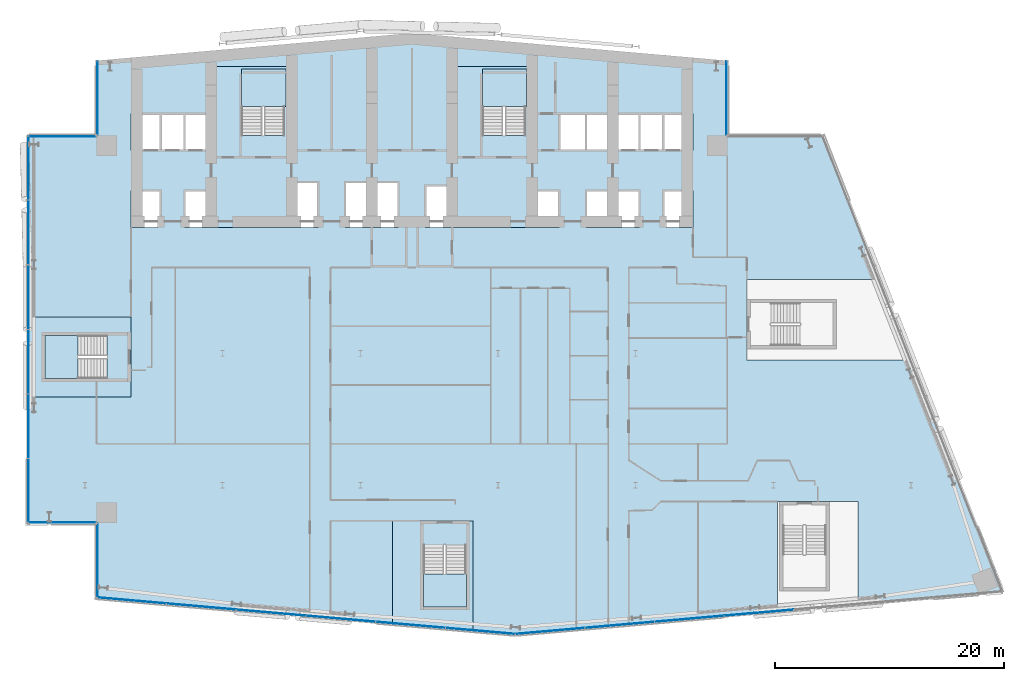
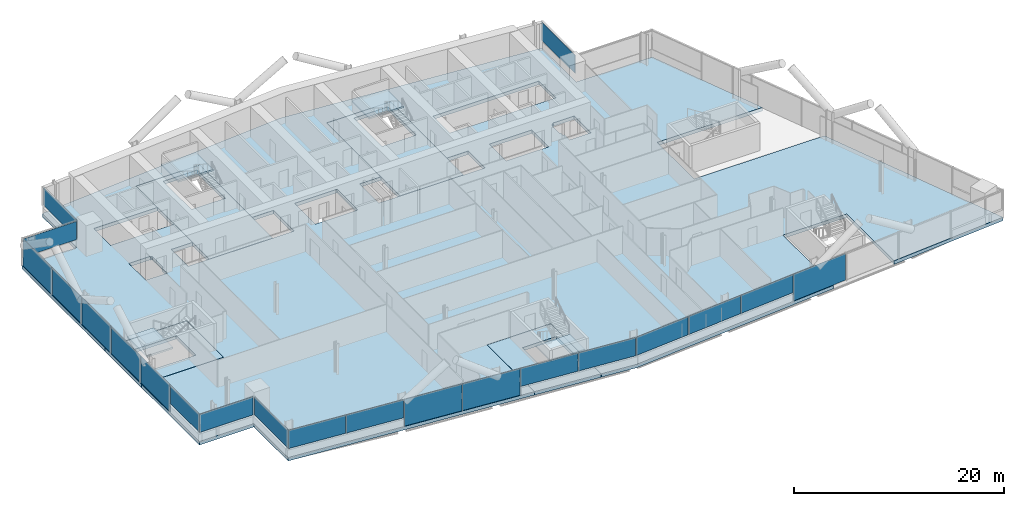
# One storey, part 12 of 26: 21 plates, 9 slabs, 12 elements without a shape of their own.
"""IFC4 building model written with IfcOpenShell, lengths in metres."""

from ifc_helpers import new_model, si_unit, direction, frame, origin, origin_2d, place, context, subcontext, project, spatial, polyline, rectangle, outline, extrude, material, layer, layer_set, type_object, element, aggregate, save


model = new_model("IFC4")

# Units and contexts
model_context = context("Model", 3, precision=1e-05, world=origin(), true_north=direction((0.0, 1.0)))
body_context = subcontext(model_context, "Body", "Model", "MODEL_VIEW")
ifc_project = project(units=[si_unit("LENGTHUNIT", "METRE"), si_unit("AREAUNIT", "SQUARE_METRE"), si_unit("VOLUMEUNIT", "CUBIC_METRE"), si_unit("PLANEANGLEUNIT", "RADIAN"), si_unit("MASSUNIT", "GRAM", prefix="KILO")], contexts=[model_context])

# Site, building, storey
site_placement = place(None, origin())
site = spatial("IfcSite", under=ifc_project, at=site_placement, CompositionType="ELEMENT")
building_placement = place(site_placement, origin())
building = spatial("IfcBuilding", under=site, at=building_placement, Name="Wharfspan Tower", CompositionType="ELEMENT")
storey_placement = place(building_placement, frame((0.0, 0.0, 114.699951)))
storey = spatial("IfcBuildingStorey", under=building, at=storey_placement, Name="L26", CompositionType="ELEMENT", Elevation=114.699951)

# Curtain wall, plates
ifc_material_1 = material(Name="Aluminium 6063-T6", Category="aluminium")
curtain_wall_type_1 = type_object("IfcCurtainWallType", Name="CURTAIN WALL FACETED FRONT", PredefinedType="NOTDEFINED", material=ifc_material_1)
curtain_wall_1_placement = place(storey_placement, origin())
curtain_wall_1 = element("IfcCurtainWall", 1, at=curtain_wall_1_placement, inside=storey, type_object=curtain_wall_type_1, Name="Curtain wall S1", PredefinedType="NOTDEFINED")
ifc_material_2 = material(Name="Glass clear low-iron double glazing", Category="glass")
ifc_layer_1 = layer(ifc_material_2, 0.040039)
ifc_layer_set_1 = layer_set([ifc_layer_1], Name="Glass clear low-iron double glazing")
plate_type_1 = type_object("IfcPlateType", Name="GLASS PANEL FACETED FRONT 40", PredefinedType="CURTAIN_PANEL", material=ifc_layer_set_1)
plate_1_placement = place(storey_placement, frame((16.061768, 1.467529, 1.0), z_axis=(0.0, 0.0, 1.0), x_axis=(0.996198, -0.087156, 0.0)))
plate_1 = element("IfcPlate", 2, at=plate_1_placement, type_object=plate_type_1, Name="Curtain wall S1 panel 1", PredefinedType="CURTAIN_PANEL", context=body_context, shape_type="SweptSolid", body=[
    extrude(rectangle(XDim=6.016602, YDim=0.040039, at=origin_2d()), origin(), (0.0, 0.0, 1.0), 2.120117),
])
plate_2_placement = place(storey_placement, frame((22.130127, 0.936523, 1.0), z_axis=(0.0, 0.0, 1.0), x_axis=(0.996198, -0.087156, 0.0)))
plate_2 = element("IfcPlate", 3, at=plate_2_placement, type_object=plate_type_1, Name="Curtain wall S1 panel 2", PredefinedType="CURTAIN_PANEL", context=body_context, shape_type="SweptSolid", body=[
    extrude(rectangle(XDim=6.046631, YDim=0.040039, at=origin_2d()), origin(), (0.0, 0.0, 1.0), 2.120117),
])
plate_3_placement = place(storey_placement, frame((40.380127, -0.660156, 1.0), z_axis=(0.0, 0.0, 1.0), x_axis=(0.996198, -0.087156, 0.0)))
plate_3 = element("IfcPlate", 4, at=plate_3_placement, type_object=plate_type_1, Name="Curtain wall S1 panel 5", PredefinedType="CURTAIN_PANEL", context=body_context, shape_type="SweptSolid", body=[
    extrude(rectangle(XDim=6.046631, YDim=0.040039, at=origin_2d()), origin(), (0.0, 0.0, 1.0), 2.120117),
])
plate_4_placement = place(storey_placement, frame((46.44873, -1.191162, 1.0), z_axis=(0.0, 0.0, 1.0), x_axis=(0.996198, -0.087156, 0.0)))
plate_4 = element("IfcPlate", 5, at=plate_4_placement, type_object=plate_type_1, Name="Curtain wall S1 panel 6", PredefinedType="CURTAIN_PANEL", context=body_context, shape_type="SweptSolid", body=[
    extrude(rectangle(XDim=6.016602, YDim=0.040039, at=origin_2d()), origin(), (0.0, 0.0, 1.0), 2.120117),
])

curtain_wall_2_placement = place(storey_placement, origin())
curtain_wall_2 = element("IfcCurtainWall", 6, at=curtain_wall_2_placement, inside=storey, type_object=curtain_wall_type_1, Name="Curtain wall S2", PredefinedType="NOTDEFINED")
plate_5_placement = place(storey_placement, frame((52.54541, -1.19165, 1.0), z_axis=(0.0, 0.0, 1.0), x_axis=(0.996198, 0.087156, 0.0)))
plate_5 = element("IfcPlate", 7, at=plate_5_placement, type_object=plate_type_1, Name="Curtain wall S2 panel 1", PredefinedType="CURTAIN_PANEL", context=body_context, shape_type="SweptSolid", body=[
    extrude(rectangle(XDim=6.004639, YDim=0.040039, at=origin_2d()), origin(), (0.0, 0.0, 1.0), 2.120117),
])
plate_6_placement = place(storey_placement, frame((58.601807, -0.661621, 1.0), z_axis=(0.0, 0.0, 1.0), x_axis=(0.996198, 0.087156, 0.0)))
plate_6 = element("IfcPlate", 8, at=plate_6_placement, type_object=plate_type_1, Name="Curtain wall S2 panel 2", PredefinedType="CURTAIN_PANEL", context=body_context, shape_type="SweptSolid", body=[
    extrude(rectangle(XDim=6.034668, YDim=0.040039, at=origin_2d()), origin(), (0.0, 0.0, 1.0), 2.120117),
])
plate_7_placement = place(storey_placement, frame((64.67334, -0.130615, 1.0), z_axis=(0.0, 0.0, 1.0), x_axis=(0.996198, 0.087156, 0.0)))
plate_7 = element("IfcPlate", 9, at=plate_7_placement, type_object=plate_type_1, Name="Curtain wall S2 panel 3", PredefinedType="CURTAIN_PANEL", context=body_context, shape_type="SweptSolid", body=[
    extrude(rectangle(XDim=6.034668, YDim=0.040039, at=origin_2d()), origin(), (0.0, 0.0, 1.0), 2.120117),
])

# Curtain wall, plate
curtain_wall_type_2 = type_object("IfcCurtainWallType", Name="CURTAIN WALL PROW AND END", PredefinedType="NOTDEFINED", material=ifc_material_1)
curtain_wall_3_placement = place(storey_placement, origin())
curtain_wall_3 = element("IfcCurtainWall", 10, at=curtain_wall_3_placement, inside=storey, type_object=curtain_wall_type_2, Name="Curtain wall NRE-V", PredefinedType="NOTDEFINED")
ifc_layer_2 = layer(ifc_material_2, 0.040039)
ifc_layer_set_2 = layer_set([ifc_layer_2], Name="Glass clear low-iron double glazing")
plate_type_2 = type_object("IfcPlateType", Name="GLASS PANEL PROW AND END 40", PredefinedType="CURTAIN_PANEL", material=ifc_layer_set_2)
plate_8_placement = place(storey_placement, frame((67.919922, 45.262451, 1.0), z_axis=(0.0, 0.0, 1.0), x_axis=(0.0, 1.0, 0.0)))
plate_8 = element("IfcPlate", 11, at=plate_8_placement, type_object=plate_type_2, Name="Curtain wall NRE-V panel 1", PredefinedType="CURTAIN_PANEL", context=body_context, shape_type="SweptSolid", body=[
    extrude(rectangle(XDim=6.405029, YDim=0.040039, at=origin_2d()), origin(), (0.0, 0.0, 1.0), 2.120117),
])
aggregate(curtain_wall_3, [plate_8])

curtain_wall_4_placement = place(storey_placement, origin())
curtain_wall_4 = element("IfcCurtainWall", 12, at=curtain_wall_4_placement, inside=storey, type_object=curtain_wall_type_2, Name="Curtain wall NRW-V", PredefinedType="NOTDEFINED")
plate_9_placement = place(storey_placement, frame((13.080078, 45.262451, 1.0), z_axis=(0.0, 0.0, 1.0), x_axis=(0.0, -1.0, 0.0)))
plate_9 = element("IfcPlate", 13, at=plate_9_placement, type_object=plate_type_2, Name="Curtain wall NRW-V panel 1", PredefinedType="CURTAIN_PANEL", context=body_context, shape_type="SweptSolid", body=[
    extrude(rectangle(XDim=6.405029, YDim=0.040039, at=origin_2d()), origin(), (0.0, 0.0, 1.0), 2.120117),
])
aggregate(curtain_wall_4, [plate_9])

curtain_wall_5_placement = place(storey_placement, origin())
curtain_wall_5 = element("IfcCurtainWall", 14, at=curtain_wall_5_placement, inside=storey, type_object=curtain_wall_type_2, Name="Curtain wall NRW-H", PredefinedType="NOTDEFINED")
plate_10_placement = place(storey_placement, frame((10.0, 41.919922, 1.0), z_axis=(0.0, 0.0, 1.0), x_axis=(-1.0, 0.0, 0.0)))
plate_10 = element("IfcPlate", 15, at=plate_10_placement, type_object=plate_type_2, Name="Curtain wall NRW-H panel 1", PredefinedType="CURTAIN_PANEL", context=body_context, shape_type="SweptSolid", body=[
    extrude(rectangle(XDim=5.879883, YDim=0.040039, at=origin_2d()), origin(), (0.0, 0.0, 1.0), 2.120117),
])
aggregate(curtain_wall_5, [plate_10])

curtain_wall_6_placement = place(storey_placement, origin())
curtain_wall_6 = element("IfcCurtainWall", 16, at=curtain_wall_6_placement, inside=storey, type_object=curtain_wall_type_2, Name="Curtain wall W", PredefinedType="NOTDEFINED")
plate_11_placement = place(storey_placement, frame((7.080078, 11.031738, 1.0), z_axis=(0.0, 0.0, 1.0), x_axis=(0.0, -1.0, 0.0)))
plate_11 = element("IfcPlate", 17, at=plate_11_placement, type_object=plate_type_2, Name="Curtain wall W panel 6", PredefinedType="CURTAIN_PANEL", context=body_context, shape_type="SweptSolid", body=[
    extrude(rectangle(XDim=5.543213, YDim=0.040039, at=origin_2d()), origin(), (0.0, 0.0, 1.0), 2.120117),
])

curtain_wall_7_placement = place(storey_placement, origin())
curtain_wall_7 = element("IfcCurtainWall", 18, at=curtain_wall_7_placement, inside=storey, type_object=curtain_wall_type_2, Name="Curtain wall NFW-H", PredefinedType="NOTDEFINED")
plate_12_placement = place(storey_placement, frame((10.0, 8.280029, 1.0), z_axis=(0.0, 0.0, 1.0), x_axis=(1.0, 0.0, 0.0)))
plate_12 = element("IfcPlate", 19, at=plate_12_placement, type_object=plate_type_2, Name="Curtain wall NFW-H panel 1", PredefinedType="CURTAIN_PANEL", context=body_context, shape_type="SweptSolid", body=[
    extrude(rectangle(XDim=5.879883, YDim=0.040039, at=origin_2d()), origin(), (0.0, 0.0, 1.0), 2.120117),
])
aggregate(curtain_wall_7, [plate_12])

curtain_wall_8_placement = place(storey_placement, origin())
curtain_wall_8 = element("IfcCurtainWall", 20, at=curtain_wall_8_placement, inside=storey, type_object=curtain_wall_type_2, Name="Curtain wall NFW-V", PredefinedType="NOTDEFINED")
plate_13_placement = place(storey_placement, frame((13.080078, 4.9375, 1.0), z_axis=(0.0, 0.0, 1.0), x_axis=(0.0, -1.0, 0.0)))
plate_13 = element("IfcPlate", 21, at=plate_13_placement, type_object=plate_type_2, Name="Curtain wall NFW-V panel 1", PredefinedType="CURTAIN_PANEL", context=body_context, shape_type="SweptSolid", body=[
    extrude(rectangle(XDim=6.405029, YDim=0.040039, at=origin_2d()), origin(), (0.0, 0.0, 1.0), 2.120117),
])
aggregate(curtain_wall_8, [plate_13])

# Plate
ifc_material_3 = material(Name="Aluminium composite opaque insulated panel", Category="aluminium")
ifc_layer_3 = layer(ifc_material_3, 0.040039)
ifc_layer_set_3 = layer_set([ifc_layer_3], Name="Aluminium composite opaque insulated panel")
plate_type_3 = type_object("IfcPlateType", Name="INFILL PANEL FACETED FRONT OPAQUE 40", PredefinedType="SHEET", material=ifc_layer_set_3)
plate_14_placement = place(storey_placement, frame((28.213623, 0.404297, 0.0), z_axis=(0.0, 0.0, 1.0), x_axis=(0.996198, -0.087156, 0.0)))
plate_14 = element("IfcPlate", 22, at=plate_14_placement, type_object=plate_type_3, Name="Curtain wall S1 panel 3", PredefinedType="SHEET", context=body_context, shape_type="SweptSolid", body=[
    extrude(rectangle(XDim=6.046631, YDim=0.040039, at=origin_2d()), origin(), (0.0, 0.0, 1.0), 3.120117),
])

plate_15_placement = place(storey_placement, frame((34.296875, -0.12793, 0.0), z_axis=(0.0, 0.0, 1.0), x_axis=(0.996198, -0.087156, 0.0)))
plate_15 = element("IfcPlate", 23, at=plate_15_placement, type_object=plate_type_3, Name="Curtain wall S1 panel 4", PredefinedType="SHEET", context=body_context, shape_type="SweptSolid", body=[
    extrude(rectangle(XDim=6.046631, YDim=0.040039, at=origin_2d()), origin(), (0.0, 0.0, 1.0), 3.120117),
])

aggregate(curtain_wall_1, [plate_1, plate_2, plate_14, plate_15, plate_3, plate_4])

plate_16_placement = place(storey_placement, frame((70.744873, 0.400635, 0.0), z_axis=(0.0, 0.0, 1.0), x_axis=(0.996198, 0.087156, 0.0)))
plate_16 = element("IfcPlate", 24, at=plate_16_placement, type_object=plate_type_3, Name="Curtain wall S2 panel 4", PredefinedType="SHEET", context=body_context, shape_type="SweptSolid", body=[
    extrude(rectangle(XDim=6.034668, YDim=0.040039, at=origin_2d()), origin(), (0.0, 0.0, 1.0), 3.120117),
])

aggregate(curtain_wall_2, [plate_5, plate_6, plate_7, plate_16])

ifc_layer_4 = layer(ifc_material_3, 0.040039)
ifc_layer_set_4 = layer_set([ifc_layer_4], Name="Aluminium composite opaque insulated panel")
plate_type_4 = type_object("IfcPlateType", Name="INFILL PANEL PROW AND END OPAQUE 40", PredefinedType="SHEET", material=ifc_layer_set_4)
plate_17_placement = place(storey_placement, frame((7.080078, 39.168213, 0.0), z_axis=(0.0, 0.0, 1.0), x_axis=(0.0, -1.0, 0.0)))
plate_17 = element("IfcPlate", 25, at=plate_17_placement, type_object=plate_type_4, Name="Curtain wall W panel 1", PredefinedType="SHEET", context=body_context, shape_type="SweptSolid", body=[
    extrude(rectangle(XDim=5.543213, YDim=0.040039, at=origin_2d()), origin(), (0.0, 0.0, 1.0), 3.120117),
])

plate_18_placement = place(storey_placement, frame((7.080078, 33.550049, 0.0), z_axis=(0.0, 0.0, 1.0), x_axis=(0.0, -1.0, 0.0)))
plate_18 = element("IfcPlate", 26, at=plate_18_placement, type_object=plate_type_4, Name="Curtain wall W panel 2", PredefinedType="SHEET", context=body_context, shape_type="SweptSolid", body=[
    extrude(rectangle(XDim=5.573242, YDim=0.040039, at=origin_2d()), origin(), (0.0, 0.0, 1.0), 3.120117),
])

plate_19_placement = place(storey_placement, frame((7.080078, 27.916748, 0.0), z_axis=(0.0, 0.0, 1.0), x_axis=(0.0, -1.0, 0.0)))
plate_19 = element("IfcPlate", 27, at=plate_19_placement, type_object=plate_type_4, Name="Curtain wall W panel 3", PredefinedType="SHEET", context=body_context, shape_type="SweptSolid", body=[
    extrude(rectangle(XDim=5.573242, YDim=0.040039, at=origin_2d()), origin(), (0.0, 0.0, 1.0), 3.120117),
])

plate_20_placement = place(storey_placement, frame((7.080078, 22.283447, 0.0), z_axis=(0.0, 0.0, 1.0), x_axis=(0.0, -1.0, 0.0)))
plate_20 = element("IfcPlate", 28, at=plate_20_placement, type_object=plate_type_4, Name="Curtain wall W panel 4", PredefinedType="SHEET", context=body_context, shape_type="SweptSolid", body=[
    extrude(rectangle(XDim=5.573242, YDim=0.040039, at=origin_2d()), origin(), (0.0, 0.0, 1.0), 3.120117),
])

plate_21_placement = place(storey_placement, frame((7.080078, 16.649902, 0.0), z_axis=(0.0, 0.0, 1.0), x_axis=(0.0, -1.0, 0.0)))
plate_21 = element("IfcPlate", 29, at=plate_21_placement, type_object=plate_type_4, Name="Curtain wall W panel 5", PredefinedType="SHEET", context=body_context, shape_type="SweptSolid", body=[
    extrude(rectangle(XDim=5.573242, YDim=0.040039, at=origin_2d()), origin(), (0.0, 0.0, 1.0), 3.120117),
])

aggregate(curtain_wall_6, [plate_17, plate_18, plate_19, plate_20, plate_21, plate_11])

# Slabs
ifc_material_4 = material(Name="Concrete C40/50", Category="concrete")
ifc_layer_5 = layer(ifc_material_4, 0.399902)
ifc_layer_set_5 = layer_set([ifc_layer_5], Name="Concrete C40/50")
slab_type_1 = type_object("IfcSlabType", Name="Post-tensioned flat slab 400", PredefinedType="FLOOR", material=ifc_layer_set_5)
slab_1_placement = place(storey_placement, frame((0.0, 0.0, -0.400146)))
element("IfcSlab", 30, at=slab_1_placement, inside=storey, type_object=slab_type_1, Name="Floor slab L26", PredefinedType="FLOOR", context=body_context, shape_type="SweptSolid", body=[
    extrude(outline(polyline([(38.800293, -0.582275), (38.800293, 8.427002), (45.820312, 8.427002), (45.820312, -1.196289), (49.5, -1.518311), (72.355957, 0.481445), (72.355957, 10.104736), (79.375977, 10.104736), (79.375977, 1.095459), (92.0, 2.199951), (84.04541, 22.439941), (69.68042, 22.439941), (69.68042, 29.459961), (81.286621, 29.459961), (76.358154, 42.0), (68.0, 42.0), (68.0, 48.524902), (40.5, 50.930908), (13.0, 48.524902), (13.0, 42.0), (7.0, 42.0), (7.0, 26.209961), (16.01001, 26.209961), (16.01001, 19.189941), (7.0, 19.189941), (7.0, 8.199951), (13.0, 8.199951), (13.0, 1.675049), (38.800293, -0.582275)]), holes=[polyline([(62.48999, 35.389893), (62.36499, 35.389893), (62.36499, 36.909912), (62.48999, 36.909912), (62.48999, 37.110107), (62.656738, 37.110107), (62.656738, 37.209961), (65.01001, 37.209961), (65.01001, 33.98999), (62.656738, 33.98999), (62.656738, 34.98999), (62.48999, 34.98999), (62.48999, 35.389893)]), polyline([(65.01001, 43.909912), (65.01001, 40.689941), (53.323242, 40.689941), (53.323242, 43.909912), (65.01001, 43.909912)]), polyline([(55.656738, 33.98999), (55.656738, 37.209961), (60.343262, 37.209961), (60.343262, 33.98999), (55.656738, 33.98999)]), polyline([(43.98999, 37.659912), (43.98999, 48.01001), (51.01001, 48.01001), (51.01001, 37.209961), (53.343262, 37.209961), (53.343262, 33.98999), (41.656738, 33.98999), (41.656738, 37.659912), (43.98999, 37.659912)]), polyline([(34.656738, 33.98999), (34.656738, 37.959961), (39.343262, 37.959961), (39.343262, 33.98999), (34.656738, 33.98999)]), polyline([(20.656738, 37.209961), (22.98999, 37.209961), (22.98999, 40.689941), (20.676758, 40.689941), (20.656738, 40.689941), (15.98999, 40.689941), (15.98999, 43.909912), (20.656738, 43.909912), (20.676758, 43.909912), (22.98999, 43.909912), (22.98999, 48.01001), (30.01001, 48.01001), (30.01001, 37.959961), (32.343262, 37.959961), (32.343262, 33.98999), (20.656738, 33.98999), (20.656738, 37.209961)]), polyline([(18.51001, 34.98999), (18.343262, 34.98999), (18.343262, 33.98999), (15.98999, 33.98999), (15.98999, 37.209961), (18.343262, 37.209961), (18.343262, 37.110107), (18.51001, 37.110107), (18.51001, 34.98999)])]), origin(), (0.0, 0.0, 1.0), 0.400146),
])
slab_2_placement = place(storey_placement, frame((0.0, 0.0, -0.400146)))
element("IfcSlab", 31, at=slab_2_placement, inside=storey, type_object=slab_type_1, Name="Core floor slab L26 part 1", PredefinedType="FLOOR", context=body_context, shape_type="SweptSolid", body=[
    extrude(outline(polyline([(16.0, 20.524902), (16.0, 24.875), (16.0, 26.199951), (7.0, 26.199951), (7.0, 19.199951), (16.0, 19.199951), (16.0, 20.524902)]), holes=[polyline([(13.9021, 20.824951), (13.9021, 20.824707), (13.9021, 20.824707), (13.901855, 20.824463), (13.901855, 20.824219), (13.901855, 20.824219), (13.901611, 20.823975), (13.901611, 20.82373), (13.901367, 20.823486), (13.901367, 20.823486), (13.901123, 20.823242), (13.900879, 20.823242), (13.900879, 20.823242), (13.900635, 20.822998), (13.900391, 20.822998), (13.900146, 20.822998), (13.899902, 20.822998), (8.5, 20.822998), (8.499756, 20.822998), (8.499512, 20.822998), (8.499512, 20.822998), (8.499268, 20.823242), (8.499023, 20.823242), (8.498779, 20.823242), (8.498779, 20.823486), (8.498535, 20.823486), (8.498535, 20.82373), (8.498291, 20.823975), (8.498291, 20.824219), (8.498291, 20.824219), (8.498047, 20.824463), (8.498047, 20.824707), (8.498047, 20.824707), (8.498047, 20.824951), (8.498047, 24.574951), (8.498047, 24.575195), (8.498047, 24.575439), (8.498047, 24.575684), (8.498291, 24.575684), (8.498291, 24.575928), (8.498291, 24.576172), (8.498535, 24.576416), (8.498535, 24.576416), (8.498779, 24.576416), (8.498779, 24.57666), (8.499023, 24.576904), (8.499268, 24.576904), (8.499512, 24.576904), (8.499512, 24.576904), (8.499756, 24.576904), (8.5, 24.576904), (13.899902, 24.576904), (13.900146, 24.576904), (13.900391, 24.576904), (13.900635, 24.576904), (13.900879, 24.576904), (13.900879, 24.576904), (13.901123, 24.57666), (13.901367, 24.576416), (13.901367, 24.576416), (13.901611, 24.576416), (13.901611, 24.576172), (13.901855, 24.575928), (13.901855, 24.575684), (13.901855, 24.575684), (13.9021, 24.575439), (13.9021, 24.575195), (13.9021, 24.574951), (13.9021, 20.824951)])]), origin(), (0.0, 0.0, 1.0), 0.400146),
])
slab_3_placement = place(storey_placement, frame((0.0, 0.0, -0.400146)))
element("IfcSlab", 32, at=slab_3_placement, inside=storey, type_object=slab_type_1, Name="Core floor slab L26 part 2", PredefinedType="FLOOR", context=body_context, shape_type="SweptSolid", body=[
    extrude(outline(polyline([(20.664795, 34.0), (20.664795, 37.199951), (20.664795, 37.200195), (20.664795, 37.200439), (20.664795, 37.200684), (20.664795, 37.200684), (20.664795, 37.200928), (20.665039, 37.201172), (20.665039, 37.201416), (20.665283, 37.201416), (20.665283, 37.201416), (20.665527, 37.20166), (20.665771, 37.201904), (20.666016, 37.201904), (20.666016, 37.201904), (20.66626, 37.201904), (20.666504, 37.201904), (20.666748, 37.201904), (23.0, 37.201904), (23.000244, 37.201904), (23.000488, 37.201904), (23.000488, 37.201904), (23.000732, 37.201904), (23.000977, 37.201904), (23.001221, 37.20166), (23.001221, 37.201416), (23.001465, 37.201416), (23.001465, 37.201416), (23.001709, 37.201172), (23.001709, 37.200928), (23.001709, 37.200684), (23.001953, 37.200684), (23.001953, 37.200439), (23.001953, 37.200195), (23.001953, 37.199951), (23.001953, 34.0), (29.998047, 34.0), (29.998047, 37.949951), (29.998047, 37.950195), (29.998047, 37.950439), (29.998047, 37.950684), (29.998291, 37.950684), (29.998291, 37.950928), (29.998291, 37.951172), (29.998535, 37.951416), (29.998535, 37.951416), (29.998779, 37.951416), (29.998779, 37.95166), (29.999023, 37.951904), (29.999268, 37.951904), (29.999512, 37.951904), (29.999512, 37.951904), (29.999756, 37.951904), (30.0, 37.951904), (32.333252, 37.951904), (32.333496, 37.951904), (32.33374, 37.951904), (32.333984, 37.951904), (32.333984, 37.951904), (32.334229, 37.951904), (32.334473, 37.95166), (32.334717, 37.951416), (32.334717, 37.951416), (32.334961, 37.951416), (32.334961, 37.951172), (32.335205, 37.950928), (32.335205, 37.950684), (32.335205, 37.950684), (32.335205, 37.950439), (32.335205, 37.950195), (32.335205, 37.949951), (32.335205, 34.0), (32.341309, 34.0), (32.341309, 37.958008), (30.01001, 37.958008), (30.009766, 37.958008), (30.009521, 37.958008), (30.009521, 37.958008), (30.009277, 37.958252), (30.009033, 37.958252), (30.008789, 37.958252), (30.008789, 37.958496), (30.008545, 37.958496), (30.008545, 37.95874), (30.008301, 37.958984), (30.008301, 37.958984), (30.008301, 37.959229), (30.008057, 37.959473), (30.008057, 37.959717), (30.008057, 37.959717), (30.008057, 37.959961), (30.008057, 48.008057), (22.991943, 48.008057), (22.991943, 43.909912), (22.991943, 43.909912), (22.991943, 43.909668), (22.991943, 43.909424), (22.991699, 43.90918), (22.991699, 43.90918), (22.991699, 43.908936), (22.991455, 43.908691), (22.991455, 43.908691), (22.991211, 43.908447), (22.991211, 43.908203), (22.990967, 43.908203), (22.990723, 43.908203), (22.990479, 43.908203), (22.990479, 43.907959), (22.990234, 43.907959), (22.98999, 43.907959), (16.0, 43.907959), (16.0, 43.9021), (20.666748, 43.9021), (20.666748, 43.9021), (23.0, 43.9021), (23.000244, 43.9021), (23.000488, 43.9021), (23.000488, 43.901855), (23.000732, 43.901855), (23.000977, 43.901855), (23.001221, 43.901611), (23.001221, 43.901611), (23.001465, 43.901367), (23.001465, 43.901367), (23.001709, 43.901123), (23.001709, 43.900879), (23.001709, 43.900879), (23.001953, 43.900635), (23.001953, 43.900391), (23.001953, 43.900146), (23.001953, 43.899902), (23.001953, 40.699951), (23.001953, 40.699707), (23.001953, 40.699707), (23.001953, 40.699463), (23.001709, 40.699219), (23.001709, 40.699219), (23.001709, 40.698975), (23.001465, 40.69873), (23.001465, 40.698486), (23.001221, 40.698486), (23.001221, 40.698242), (23.000977, 40.698242), (23.000732, 40.698242), (23.000488, 40.697998), (23.000488, 40.697998), (23.000244, 40.697998), (23.0, 40.697998), (20.666748, 40.697998), (20.666748, 40.697998), (16.0, 40.697998), (16.0, 40.691895), (22.98999, 40.691895), (22.990234, 40.691895), (22.990479, 40.691895), (22.990479, 40.691895), (22.990723, 40.691895), (22.990967, 40.691895), (22.991211, 40.69165), (22.991211, 40.691406), (22.991455, 40.691406), (22.991455, 40.691406), (22.991699, 40.691162), (22.991699, 40.690918), (22.991699, 40.690918), (22.991943, 40.690674), (22.991943, 40.69043), (22.991943, 40.690186), (22.991943, 40.689941), (22.991943, 37.209961), (22.991943, 37.209717), (22.991943, 37.209717), (22.991943, 37.209473), (22.991699, 37.209229), (22.991699, 37.208984), (22.991699, 37.208984), (22.991455, 37.20874), (22.991455, 37.208496), (22.991211, 37.208496), (22.991211, 37.208252), (22.990967, 37.208252), (22.990723, 37.208252), (22.990479, 37.208008), (22.990479, 37.208008), (22.990234, 37.208008), (22.98999, 37.208008), (20.658691, 37.208008), (20.658691, 34.0), (20.664795, 34.0)]), holes=[polyline([(25.649902, 41.998047), (25.649902, 41.998047), (25.649658, 41.998047), (25.649414, 41.998047), (25.64917, 41.998291), (25.64917, 41.998291), (25.648926, 41.998291), (25.648682, 41.998535), (25.648682, 41.998535), (25.648438, 41.998779), (25.648193, 41.998779), (25.648193, 41.999023), (25.648193, 41.999268), (25.648193, 41.999512), (25.647949, 41.999512), (25.647949, 41.999756), (25.647949, 42.0), (25.647949, 47.399902), (25.647949, 47.400146), (25.647949, 47.400391), (25.648193, 47.400635), (25.648193, 47.400879), (25.648193, 47.400879), (25.648193, 47.401123), (25.648438, 47.401367), (25.648682, 47.401367), (25.648682, 47.401611), (25.648926, 47.401611), (25.64917, 47.401855), (25.64917, 47.401855), (25.649414, 47.401855), (25.649658, 47.4021), (25.649902, 47.4021), (25.649902, 47.4021), (29.399902, 47.4021), (29.400146, 47.4021), (29.400391, 47.4021), (29.400635, 47.401855), (29.400879, 47.401855), (29.400879, 47.401855), (29.401123, 47.401611), (29.401367, 47.401611), (29.401367, 47.401367), (29.401611, 47.401367), (29.401611, 47.401123), (29.401855, 47.400879), (29.401855, 47.400879), (29.401855, 47.400635), (29.4021, 47.400391), (29.4021, 47.400146), (29.4021, 47.399902), (29.4021, 42.0), (29.4021, 41.999756), (29.4021, 41.999512), (29.401855, 41.999512), (29.401855, 41.999268), (29.401855, 41.999023), (29.401611, 41.998779), (29.401611, 41.998779), (29.401367, 41.998535), (29.401367, 41.998535), (29.401123, 41.998291), (29.400879, 41.998291), (29.400879, 41.998291), (29.400635, 41.998047), (29.400391, 41.998047), (29.400146, 41.998047), (29.399902, 41.998047), (25.649902, 41.998047)])]), origin(), (0.0, 0.0, 1.0), 0.400146),
])
slab_4_placement = place(storey_placement, frame((0.0, 0.0, -0.400146)))
element("IfcSlab", 33, at=slab_4_placement, inside=storey, type_object=slab_type_1, Name="Core floor slab L26 part 3", PredefinedType="FLOOR", context=body_context, shape_type="SweptSolid", body=[
    extrude(outline(polyline([(45.5354, 8.416992), (41.185303, 8.416992), (38.810303, 8.416992), (38.810303, -0.583008), (45.810303, -1.195557), (45.810303, 8.416992), (45.5354, 8.416992)]), holes=[polyline([(41.483398, 6.316895), (41.483398, 6.317139), (41.483398, 6.317383), (41.483398, 6.317383), (41.483398, 6.317627), (41.483398, 6.317871), (41.483643, 6.318115), (41.483643, 6.318115), (41.483887, 6.318359), (41.483887, 6.318604), (41.484131, 6.318604), (41.484375, 6.318604), (41.484619, 6.318848), (41.484619, 6.318848), (41.484863, 6.318848), (41.485107, 6.319092), (41.485352, 6.319092), (45.235352, 6.319092), (45.235596, 6.319092), (45.235596, 6.318848), (45.23584, 6.318848), (45.236084, 6.318848), (45.236084, 6.318604), (45.236328, 6.318604), (45.236572, 6.318604), (45.236816, 6.318359), (45.236816, 6.318115), (45.236816, 6.318115), (45.237061, 6.317871), (45.237061, 6.317627), (45.237305, 6.317383), (45.237305, 6.317383), (45.237305, 6.317139), (45.237305, 6.316895), (45.237305, 0.916992), (45.237305, 0.916748), (45.237305, 0.916504), (45.237305, 0.916504), (45.237061, 0.91626), (45.237061, 0.916016), (45.236816, 0.916016), (45.236816, 0.915771), (45.236816, 0.915527), (45.236572, 0.915283), (45.236328, 0.915283), (45.236084, 0.915283), (45.236084, 0.915039), (45.23584, 0.915039), (45.235596, 0.915039), (45.235596, 0.915039), (45.235352, 0.915039), (41.485352, 0.915039), (41.485107, 0.915039), (41.484863, 0.915039), (41.484619, 0.915039), (41.484619, 0.915039), (41.484375, 0.915283), (41.484131, 0.915283), (41.483887, 0.915283), (41.483887, 0.915527), (41.483643, 0.915771), (41.483643, 0.916016), (41.483398, 0.916016), (41.483398, 0.91626), (41.483398, 0.916504), (41.483398, 0.916504), (41.483398, 0.916748), (41.483398, 0.916992), (41.483398, 6.316895)])]), origin(), (0.0, 0.0, 1.0), 0.400146),
])
slab_5_placement = place(storey_placement, frame((0.0, 0.0, -0.400146)))
element("IfcSlab", 34, at=slab_5_placement, inside=storey, type_object=slab_type_1, Name="Core floor slab L26 part 4", PredefinedType="FLOOR", context=body_context, shape_type="SweptSolid", body=[
    extrude(outline(polyline([(53.341309, 34.0), (53.341309, 37.208008), (51.01001, 37.208008), (51.009766, 37.208008), (51.009521, 37.208008), (51.009521, 37.208008), (51.009277, 37.208252), (51.009033, 37.208252), (51.008789, 37.208252), (51.008789, 37.208496), (51.008545, 37.208496), (51.008545, 37.20874), (51.008301, 37.208984), (51.008301, 37.208984), (51.008301, 37.209229), (51.008057, 37.209473), (51.008057, 37.209717), (51.008057, 37.209717), (51.008057, 37.209961), (51.008057, 48.008057), (43.991943, 48.008057), (43.991943, 37.659912), (43.991943, 37.659912), (43.991943, 37.659668), (43.991943, 37.659424), (43.991699, 37.65918), (43.991699, 37.65918), (43.991699, 37.658936), (43.991455, 37.658691), (43.991455, 37.658691), (43.991211, 37.658447), (43.991211, 37.658203), (43.990967, 37.658203), (43.990723, 37.658203), (43.990479, 37.658203), (43.990479, 37.657959), (43.990234, 37.657959), (43.98999, 37.657959), (41.658691, 37.657959), (41.658691, 34.0), (41.664795, 34.0), (41.664795, 37.649902), (41.664795, 37.650146), (41.664795, 37.650391), (41.664795, 37.650635), (41.664795, 37.650879), (41.664795, 37.650879), (41.665039, 37.651123), (41.665039, 37.651367), (41.665283, 37.651367), (41.665283, 37.651611), (41.665527, 37.651611), (41.665771, 37.651855), (41.666016, 37.651855), (41.666016, 37.651855), (41.66626, 37.6521), (41.666504, 37.6521), (41.666748, 37.6521), (44.0, 37.6521), (44.000244, 37.6521), (44.000488, 37.6521), (44.000488, 37.651855), (44.000732, 37.651855), (44.000977, 37.651855), (44.001221, 37.651611), (44.001221, 37.651611), (44.001465, 37.651367), (44.001465, 37.651367), (44.001709, 37.651123), (44.001709, 37.650879), (44.001709, 37.650879), (44.001953, 37.650635), (44.001953, 37.650391), (44.001953, 37.650146), (44.001953, 37.649902), (44.001953, 34.0), (50.998047, 34.0), (50.998047, 37.199951), (50.998047, 37.200195), (50.998047, 37.200439), (50.998047, 37.200684), (50.998291, 37.200684), (50.998291, 37.200928), (50.998291, 37.201172), (50.998535, 37.201416), (50.998535, 37.201416), (50.998779, 37.201416), (50.998779, 37.20166), (50.999023, 37.201904), (50.999268, 37.201904), (50.999512, 37.201904), (50.999512, 37.201904), (50.999756, 37.201904), (51.0, 37.201904), (53.333252, 37.201904), (53.333496, 37.201904), (53.33374, 37.201904), (53.333984, 37.201904), (53.333984, 37.201904), (53.334229, 37.201904), (53.334473, 37.20166), (53.334717, 37.201416), (53.334717, 37.201416), (53.334961, 37.201416), (53.334961, 37.201172), (53.335205, 37.200928), (53.335205, 37.200684), (53.335205, 37.200684), (53.335205, 37.200439), (53.335205, 37.200195), (53.335205, 37.199951), (53.335205, 34.0), (53.341309, 34.0)]), holes=[polyline([(50.4021, 42.0), (50.4021, 41.999756), (50.4021, 41.999512), (50.401855, 41.999512), (50.401855, 41.999268), (50.401855, 41.999023), (50.401611, 41.998779), (50.401611, 41.998779), (50.401367, 41.998535), (50.401367, 41.998535), (50.401123, 41.998291), (50.400879, 41.998291), (50.400879, 41.998291), (50.400635, 41.998047), (50.400391, 41.998047), (50.400146, 41.998047), (50.399902, 41.998047), (46.649902, 41.998047), (46.649902, 41.998047), (46.649658, 41.998047), (46.649414, 41.998047), (46.64917, 41.998291), (46.64917, 41.998291), (46.648926, 41.998291), (46.648682, 41.998535), (46.648682, 41.998535), (46.648438, 41.998779), (46.648193, 41.998779), (46.648193, 41.999023), (46.648193, 41.999268), (46.648193, 41.999512), (46.647949, 41.999512), (46.647949, 41.999756), (46.647949, 42.0), (46.647949, 47.399902), (46.647949, 47.400146), (46.647949, 47.400391), (46.648193, 47.400635), (46.648193, 47.400879), (46.648193, 47.400879), (46.648193, 47.401123), (46.648438, 47.401367), (46.648682, 47.401367), (46.648682, 47.401611), (46.648926, 47.401611), (46.64917, 47.401855), (46.64917, 47.401855), (46.649414, 47.401855), (46.649658, 47.4021), (46.649902, 47.4021), (46.649902, 47.4021), (50.399902, 47.4021), (50.400146, 47.4021), (50.400391, 47.4021), (50.400635, 47.401855), (50.400879, 47.401855), (50.400879, 47.401855), (50.401123, 47.401611), (50.401367, 47.401611), (50.401367, 47.401367), (50.401611, 47.401367), (50.401611, 47.401123), (50.401855, 47.400879), (50.401855, 47.400879), (50.401855, 47.400635), (50.4021, 47.400391), (50.4021, 47.400146), (50.4021, 47.399902), (50.4021, 42.0)])]), origin(), (0.0, 0.0, 1.0), 0.400146),
])

# Stair, slab
stair_type = type_object("IfcStairType", Name="Half-turn stair 20 risers 180 mm", PredefinedType="HALF_TURN_STAIR", material=ifc_material_4)
stair_1_placement = place(storey_placement, origin())
stair_1 = element("IfcStair", 35, at=stair_1_placement, inside=storey, type_object=stair_type, Name="L26 stair ST1", PredefinedType="HALF_TURN_STAIR")
ifc_layer_6 = layer(ifc_material_4, 0.199951)
ifc_layer_set_6 = layer_set([ifc_layer_6], Name="Concrete C40/50")
slab_type_2 = type_object("IfcSlabType", Name="Stair landing 200", PredefinedType="LANDING", material=ifc_layer_set_6)
slab_6_placement = place(storey_placement, frame((0.0, 0.0, 1.599854)))
slab_6 = element("IfcSlab", 36, at=slab_6_placement, type_object=slab_type_2, Name="ST1 landing 1", PredefinedType="LANDING", context=body_context, shape_type="SweptSolid", body=[
    extrude(outline(polyline([(25.649902, 44.52002), (29.5, 44.52002), (29.5, 47.783691), (25.649902, 47.783691), (25.649902, 44.52002)])), origin(), (0.0, 0.0, 1.0), 0.200195),
])
aggregate(stair_1, [slab_6])

stair_2_placement = place(storey_placement, origin())
stair_2 = element("IfcStair", 37, at=stair_2_placement, inside=storey, type_object=stair_type, Name="L26 stair ST2", PredefinedType="HALF_TURN_STAIR")
slab_7_placement = place(storey_placement, frame((0.0, 0.0, 1.599854)))
slab_7 = element("IfcSlab", 38, at=slab_7_placement, type_object=slab_type_2, Name="ST2 landing 1", PredefinedType="LANDING", context=body_context, shape_type="SweptSolid", body=[
    extrude(outline(polyline([(46.649902, 44.52002), (50.5, 44.52002), (50.5, 47.783691), (46.649902, 47.783691), (46.649902, 44.52002)])), origin(), (0.0, 0.0, 1.0), 0.200195),
])
aggregate(stair_2, [slab_7])

stair_3_placement = place(storey_placement, origin())
stair_3 = element("IfcStair", 39, at=stair_3_placement, inside=storey, type_object=stair_type, Name="L26 stair ST3", PredefinedType="HALF_TURN_STAIR")
slab_8_placement = place(storey_placement, frame((0.0, 0.0, 1.599854)))
slab_8 = element("IfcSlab", 40, at=slab_8_placement, type_object=slab_type_2, Name="ST3 landing 1", PredefinedType="LANDING", context=body_context, shape_type="SweptSolid", body=[
    extrude(outline(polyline([(11.379883, 24.574951), (8.5, 24.574951), (8.5, 20.824951), (11.379883, 20.824951), (11.379883, 24.574951)])), origin(), (0.0, 0.0, 1.0), 0.200195),
])
aggregate(stair_3, [slab_8])

stair_4_placement = place(storey_placement, origin())
stair_4 = element("IfcStair", 41, at=stair_4_placement, inside=storey, type_object=stair_type, Name="L26 stair ST4", PredefinedType="HALF_TURN_STAIR")
slab_9_placement = place(storey_placement, frame((0.0, 0.0, 1.599854)))
slab_9 = element("IfcSlab", 42, at=slab_9_placement, type_object=slab_type_2, Name="ST4 landing 1", PredefinedType="LANDING", context=body_context, shape_type="SweptSolid", body=[
    extrude(outline(polyline([(41.485352, 3.796875), (41.485352, 0.916992), (45.235352, 0.916992), (45.235352, 3.796875), (41.485352, 3.796875)])), origin(), (0.0, 0.0, 1.0), 0.200195),
])
aggregate(stair_4, [slab_9])

save(model, "model.ifc")
